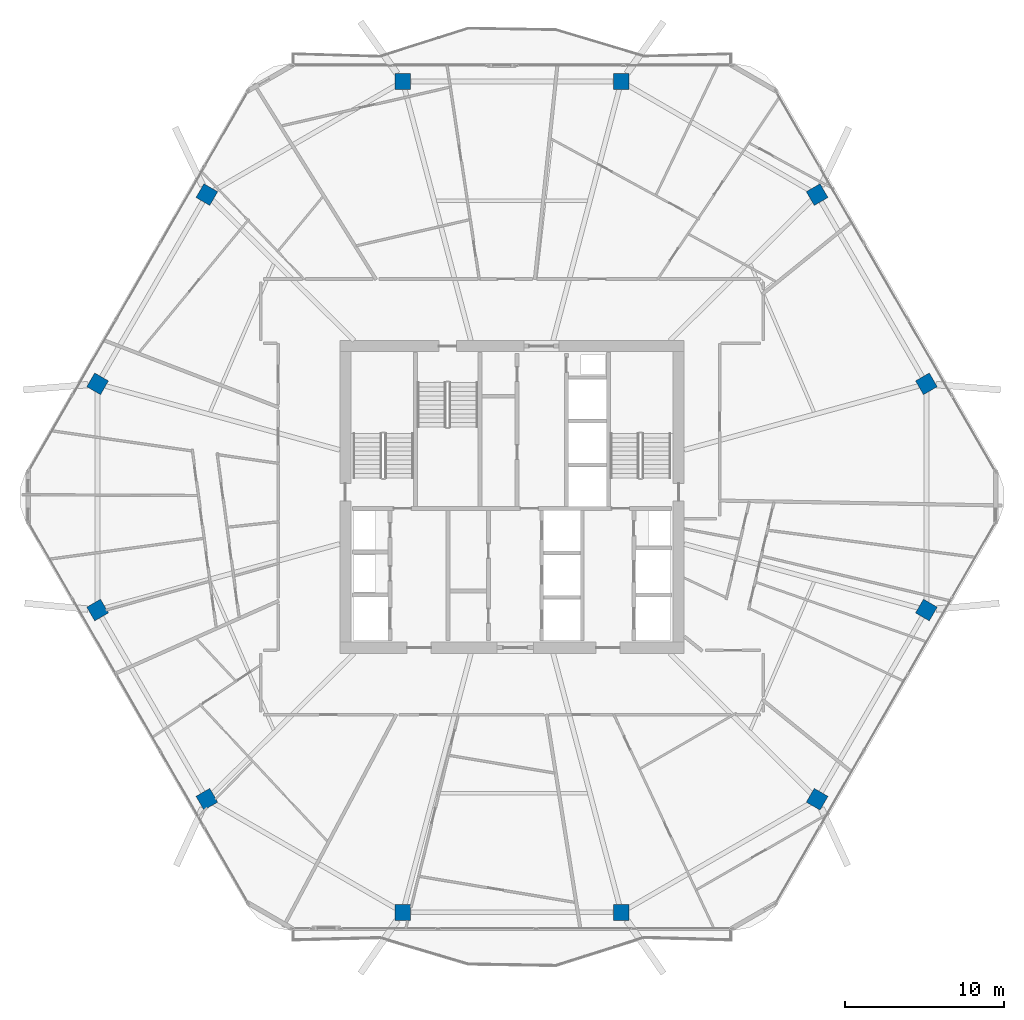
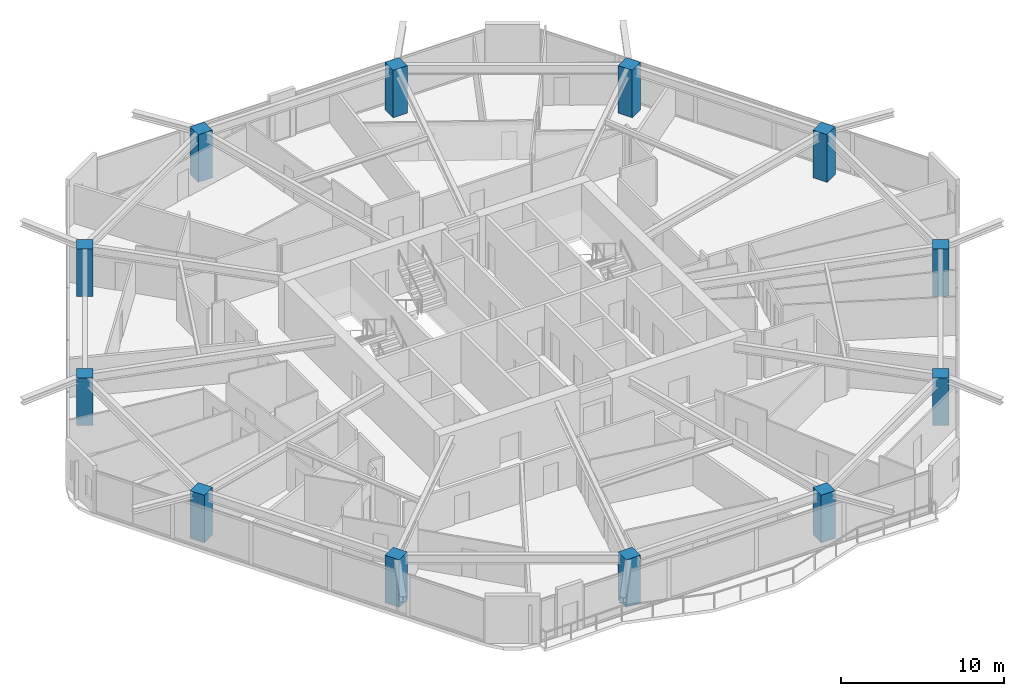
# One storey, part 1 of 27: 12 columns.
"""IFC4 building model written with IfcOpenShell, lengths in metres."""

from ifc_helpers import new_model, si_unit, direction, frame, origin, origin_2d, place, context, subcontext, project, spatial, rectangle, extrude, material, material_profile, profile_set, type_object, element, save


model = new_model("IFC4")

# Units and contexts
model_context = context("Model", 3, precision=1e-05, world=origin(), true_north=direction((0.0, 1.0)))
body_context = subcontext(model_context, "Body", "Model", "MODEL_VIEW")
ifc_project = project(units=[si_unit("LENGTHUNIT", "METRE"), si_unit("AREAUNIT", "SQUARE_METRE"), si_unit("VOLUMEUNIT", "CUBIC_METRE"), si_unit("PLANEANGLEUNIT", "RADIAN"), si_unit("MASSUNIT", "GRAM", prefix="KILO")], contexts=[model_context])

# Site, building, storey
site_placement = place(None, origin())
site = spatial("IfcSite", under=ifc_project, at=site_placement, CompositionType="ELEMENT")
building_placement = place(site_placement, origin())
building = spatial("IfcBuilding", under=site, at=building_placement, Name="Zuhravey Tower", CompositionType="ELEMENT")
storey_placement = place(building_placement, frame((0.0, 0.0, 173.199951171875)))
storey = spatial("IfcBuildingStorey", under=building, at=storey_placement, Name="L43", CompositionType="ELEMENT", Elevation=173.199951171875)

# Columns
ifc_material = material(Name="Concrete C60/75", Category="concrete")
ifc_material_profile = material_profile(ifc_material, rectangle(XDim=1.0, YDim=1.0, at=origin_2d()), Name="RC-1000x1000")
ifc_profile_set = profile_set([ifc_material_profile], Name="Concrete C60/75")
column_type = type_object("IfcColumnType", Name="Zone 2 Perimeter Column 1000x1000", PredefinedType="COLUMN", material=ifc_profile_set)
for number, where, z_axis, x_axis, name in (
    (1, (62.107666015625, 39.12646484375, 0.0), (0.0, 0.0, 1.0), (-0.5, 0.866025403784, 0.0), "L43 Perimeter Column PC01"),
    (2, (55.2255859375, 51.046630859375, 0.0), (0.0, 0.0, 1.0), (-0.5, 0.866025403784, 0.0), "L43 Perimeter Column PC02"),
    (3, (42.882080078125, 58.173095703125, 0.0), (0.0, 0.0, 1.0), (-1.0, 0.0, 0.0), "L43 Perimeter Column PC03"),
    (4, (29.117919921875, 58.173095703125, 0.0), (0.0, 0.0, 1.0), (-1.0, 0.0, 0.0), "L43 Perimeter Column PC04"),
    (5, (16.7744140625, 51.046630859375, 0.0), (0.0, 0.0, 1.0), (-0.5, -0.866025403784, 0.0), "L43 Perimeter Column PC05"),
    (6, (9.892333984375, 39.12646484375, 0.0), (0.0, 0.0, 1.0), (-0.5, -0.866025403784, 0.0), "L43 Perimeter Column PC06"),
    (7, (9.892333984375, 24.87353515625, 0.0), (0.0, 0.0, 1.0), (0.5, -0.866025403784, 0.0), "L43 Perimeter Column PC07"),
    (8, (16.7744140625, 12.953369140625, 0.0), (0.0, 0.0, 1.0), (0.5, -0.866025403784, 0.0), "L43 Perimeter Column PC08"),
    (9, (29.117919921875, 5.826904296875, 0.0), (0.0, 0.0, 1.0), (1.0, 0.0, 0.0), "L43 Perimeter Column PC09"),
    (10, (42.882080078125, 5.826904296875, 0.0), (0.0, 0.0, 1.0), (1.0, 0.0, 0.0), "L43 Perimeter Column PC10"),
    (11, (55.2255859375, 12.953369140625, 0.0), (0.0, 0.0, 1.0), (0.5, 0.866025403784, 0.0), "L43 Perimeter Column PC11"),
    (12, (62.107666015625, 24.87353515625, 0.0), (0.0, 0.0, 1.0), (0.5, 0.866025403784, 0.0), "L43 Perimeter Column PC12"),
):
    element("IfcColumn", number, at=place(storey_placement, frame(where, z_axis=z_axis, x_axis=x_axis)), inside=storey, type_object=column_type, Name=name, PredefinedType="COLUMN", context=body_context, shape_type="SweptSolid", body=[
        extrude(rectangle(XDim=1.0, YDim=1.0, at=origin_2d()), origin(), (0.0, 0.0, 1.0), 3.550048828125),
    ])

save(model, "model.ifc")
